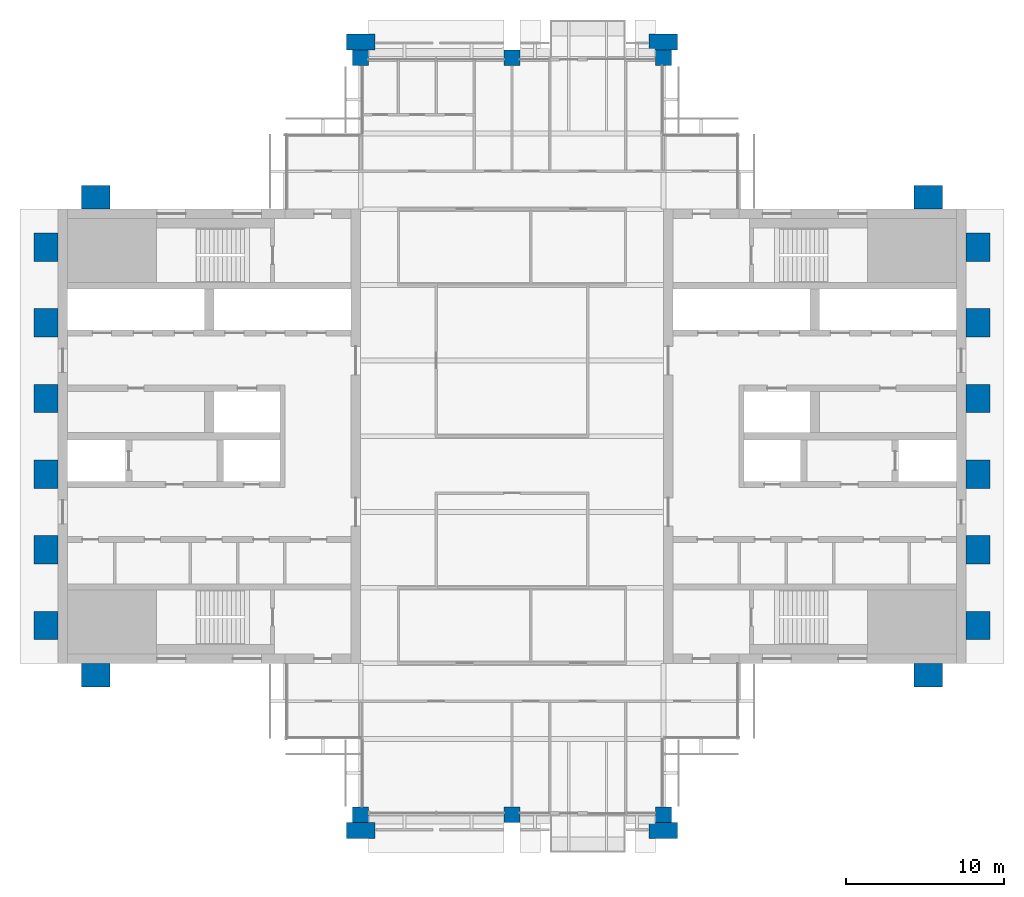
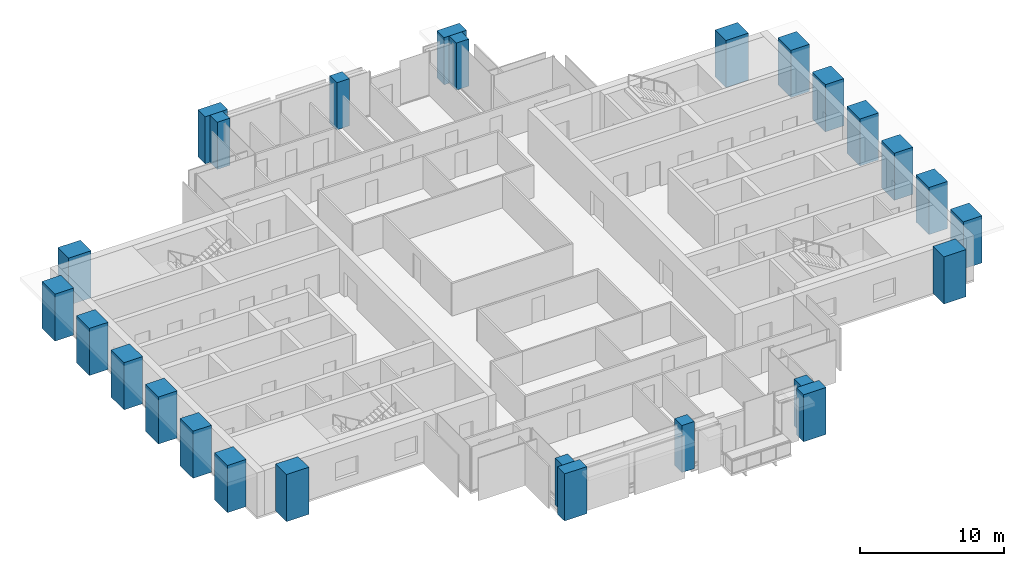
# One storey, part 1 of 13: 26 columns.
"""IFC4 building model written with IfcOpenShell, lengths in metres."""

from ifc_helpers import new_model, si_unit, direction, frame, origin, origin_2d, place, context, subcontext, project, spatial, rectangle, extrude, material, material_profile, profile_set, type_object, element, save


model = new_model("IFC4")

# Units and contexts
model_context = context("Model", 3, precision=1e-05, world=origin(), true_north=direction((0.0, 1.0)))
body_context = subcontext(model_context, "Body", "Model", "MODEL_VIEW")
ifc_project = project(units=[si_unit("LENGTHUNIT", "METRE"), si_unit("AREAUNIT", "SQUARE_METRE"), si_unit("VOLUMEUNIT", "CUBIC_METRE"), si_unit("PLANEANGLEUNIT", "RADIAN"), si_unit("MASSUNIT", "GRAM", prefix="KILO")], contexts=[model_context])

# Site, building, storey
site_placement = place(None, origin())
site = spatial("IfcSite", under=ifc_project, at=site_placement, CompositionType="ELEMENT")
building_placement = place(site_placement, origin())
building = spatial("IfcBuilding", under=site, at=building_placement, Name="Baori Bourse Tower", CompositionType="ELEMENT")
storey_placement = place(building_placement, frame((0.0, 0.0, 350.300048828125)))
storey = spatial("IfcBuildingStorey", under=building, at=storey_placement, Name="L78", CompositionType="ELEMENT", Elevation=350.300048828125)

# Columns
ifc_material_1 = material(Name="Concrete f'c 60 MPa", Category="concrete")
ifc_material_profile_1 = material_profile(ifc_material_1, rectangle(XDim=1.800048828125, YDim=1.0, at=origin_2d()), Name="RC 1800x1000")
ifc_profile_set_1 = profile_set([ifc_material_profile_1], Name="Concrete f'c 60 MPa")
column_type_1 = type_object("IfcColumnType", Name="FN3 Brick pilaster 1800x1000", PredefinedType="PILASTER", material=ifc_profile_set_1)
for number, where, z_axis, x_axis, name in (
    (1, (19.199951171875, -1.0, 0.0), (0.0, 0.0, 1.0), (1.0, 0.0, 0.0), "Brick pilaster L78 17"),
    (2, (38.39990234375, -1.0, 0.0), (0.0, 0.0, 1.0), (1.0, 0.0, 0.0), "Brick pilaster L78 18"),
    (3, (19.199951171875, 49.0, 0.0), (0.0, 0.0, 1.0), (1.0, 0.0, 0.0), "Brick pilaster L78 19"),
    (4, (38.39990234375, 49.0, 0.0), (0.0, 0.0, 1.0), (1.0, 0.0, 0.0), "Brick pilaster L78 20"),
):
    element("IfcColumn", number, at=place(storey_placement, frame(where, z_axis=z_axis, x_axis=x_axis)), inside=storey, type_object=column_type_1, Name=name, PredefinedType="PILASTER", context=body_context, shape_type="SweptSolid", body=[
        extrude(rectangle(XDim=1.800048828125, YDim=1.0, at=origin_2d()), origin(), (0.0, 0.0, 1.0), 4.0),
    ])
ifc_material_2 = material(Name="Concrete f'c 60 MPa", Category="concrete")
ifc_material_profile_2 = material_profile(ifc_material_2, rectangle(XDim=1.800048828125, YDim=1.5, at=origin_2d()), Name="RC 1800x1500")
ifc_profile_set_2 = profile_set([ifc_material_profile_2], Name="Concrete f'c 60 MPa")
column_type_2 = type_object("IfcColumnType", Name="FN4 Brick flank pilaster 1800x1500", PredefinedType="PILASTER", material=ifc_profile_set_2)
for number, where, z_axis, x_axis, name in (
    (5, (55.199951171875, 8.85009765625, 0.0), (0.0, 0.0, 1.0), (1.0, 0.0, 0.0), "Brick pilaster L78 1"),
    (6, (58.35009765625, 12.0, 0.0), (0.0, 0.0, 1.0), (0.0, 1.0, 0.0), "Brick pilaster L78 2"),
    (7, (58.35009765625, 16.800048828125, 0.0), (0.0, 0.0, 1.0), (0.0, 1.0, 0.0), "Brick pilaster L78 3"),
    (8, (58.35009765625, 21.60009765625, 0.0), (0.0, 0.0, 1.0), (0.0, 1.0, 0.0), "Brick pilaster L78 4"),
    (9, (58.35009765625, 26.39990234375, 0.0), (0.0, 0.0, 1.0), (0.0, 1.0, 0.0), "Brick pilaster L78 5"),
    (10, (58.35009765625, 31.199951171875, 0.0), (0.0, 0.0, 1.0), (0.0, 1.0, 0.0), "Brick pilaster L78 6"),
    (11, (58.35009765625, 36.0, 0.0), (0.0, 0.0, 1.0), (0.0, 1.0, 0.0), "Brick pilaster L78 7"),
    (12, (55.199951171875, 39.14990234375, 0.0), (0.0, 0.0, 1.0), (1.0, 0.0, 0.0), "Brick pilaster L78 8"),
    (13, (2.39990234375, 39.14990234375, 0.0), (0.0, 0.0, 1.0), (1.0, 0.0, 0.0), "Brick pilaster L78 9"),
    (14, (-0.75, 12.0, 0.0), (0.0, 0.0, 1.0), (0.0, 1.0, 0.0), "Brick pilaster L78 10"),
    (15, (-0.75, 16.800048828125, 0.0), (0.0, 0.0, 1.0), (0.0, 1.0, 0.0), "Brick pilaster L78 11"),
    (16, (-0.75, 21.60009765625, 0.0), (0.0, 0.0, 1.0), (0.0, 1.0, 0.0), "Brick pilaster L78 12"),
    (17, (-0.75, 26.39990234375, 0.0), (0.0, 0.0, 1.0), (0.0, 1.0, 0.0), "Brick pilaster L78 13"),
    (18, (-0.75, 31.199951171875, 0.0), (0.0, 0.0, 1.0), (0.0, 1.0, 0.0), "Brick pilaster L78 14"),
    (19, (-0.75, 36.0, 0.0), (0.0, 0.0, 1.0), (0.0, 1.0, 0.0), "Brick pilaster L78 15"),
    (20, (2.39990234375, 8.85009765625, 0.0), (0.0, 0.0, 1.0), (1.0, 0.0, 0.0), "Brick pilaster L78 16"),
):
    element("IfcColumn", number, at=place(storey_placement, frame(where, z_axis=z_axis, x_axis=x_axis)), inside=storey, type_object=column_type_2, Name=name, PredefinedType="PILASTER", context=body_context, shape_type="SweptSolid", body=[
        extrude(rectangle(XDim=1.800048828125, YDim=1.5, at=origin_2d()), origin(), (0.0, 0.0, 1.0), 4.0),
    ])
ifc_material_3 = material(Name="Concrete f'c 40 MPa", Category="concrete")
ifc_material_profile_3 = material_profile(ifc_material_3, rectangle(XDim=1.0, YDim=1.0, at=origin_2d()), Name="RC 1000x1000")
ifc_profile_set_3 = profile_set([ifc_material_profile_3], Name="Concrete f'c 40 MPa")
column_type_3 = type_object("IfcColumnType", Name="Perimeter column 40 RC 1000x1000", PredefinedType="COLUMN", material=ifc_profile_set_3)
for number, where, z_axis, x_axis, name in (
    (21, (19.199951171875, 0.0, 0.0), (0.0, 0.0, 1.0), (1.0, 0.0, 0.0), "Perimeter column L78"),
    (22, (28.800048828125, 0.0, 0.0), (0.0, 0.0, 1.0), (1.0, 0.0, 0.0), "Perimeter column L78"),
    (23, (38.39990234375, 0.0, 0.0), (0.0, 0.0, 1.0), (1.0, 0.0, 0.0), "Perimeter column L78"),
    (24, (19.199951171875, 48.0, 0.0), (0.0, 0.0, 1.0), (1.0, 0.0, 0.0), "Perimeter column L78"),
    (25, (28.800048828125, 48.0, 0.0), (0.0, 0.0, 1.0), (1.0, 0.0, 0.0), "Perimeter column L78"),
    (26, (38.39990234375, 48.0, 0.0), (0.0, 0.0, 1.0), (1.0, 0.0, 0.0), "Perimeter column L78"),
):
    element("IfcColumn", number, at=place(storey_placement, frame(where, z_axis=z_axis, x_axis=x_axis)), inside=storey, type_object=column_type_3, Name=name, PredefinedType="COLUMN", context=body_context, shape_type="SweptSolid", body=[
        extrude(rectangle(XDim=1.0, YDim=1.0, at=origin_2d()), origin(), (0.0, 0.0, 1.0), 4.0),
    ])

save(model, "model.ifc")
